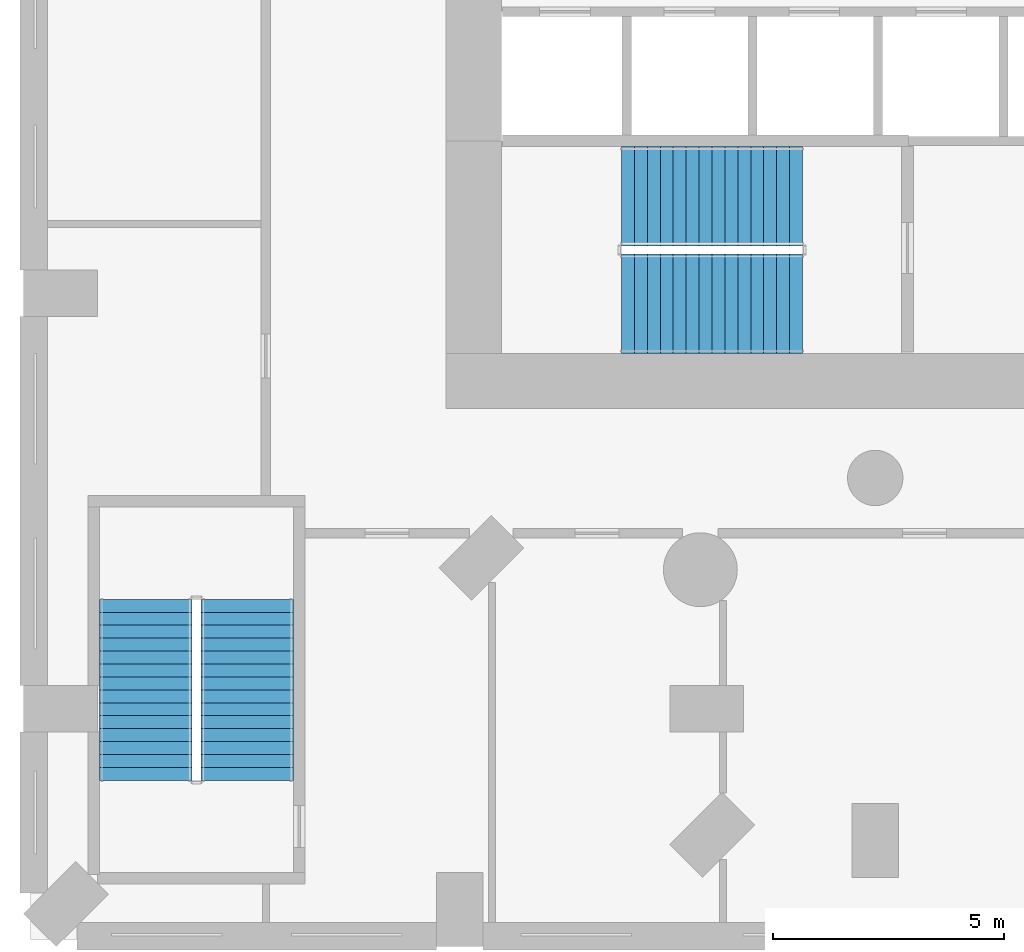
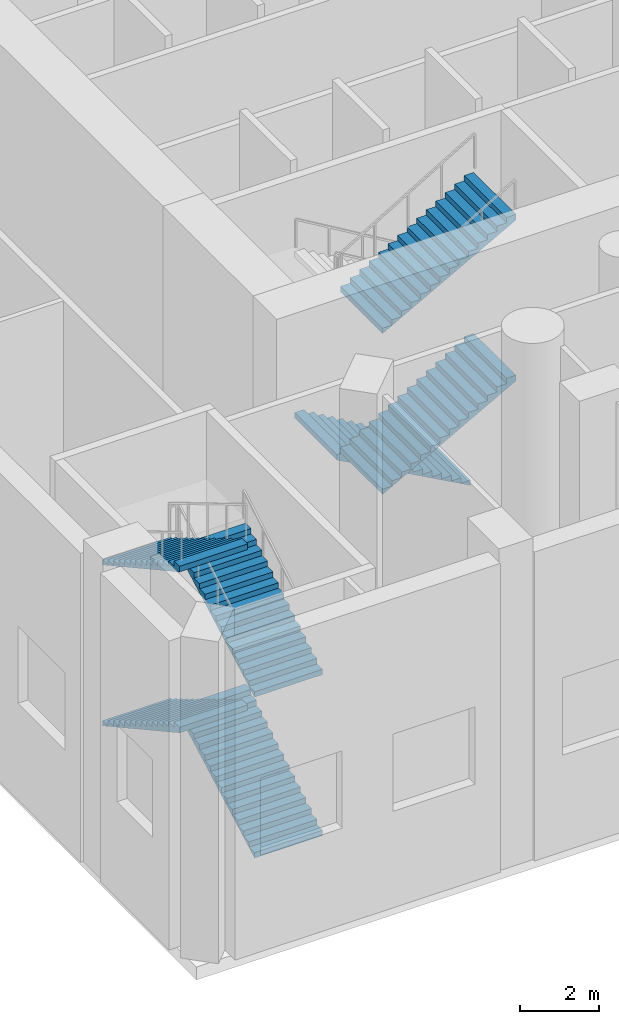
# One storey, part 10 of 17: 7 stair flights, 2 elements without a shape of their own.
"""IFC4 building model written with IfcOpenShell, lengths in metres."""

from ifc_helpers import new_model, si_unit, direction, frame, origin, place, context, subcontext, project, spatial, triangles, material, type_object, element, aggregate, save


model = new_model("IFC4")

# Units and contexts
model_context = context("Model", 3, precision=1e-05, world=origin(), true_north=direction((0.0, 1.0)))
body_context = subcontext(model_context, "Body", "Model", "MODEL_VIEW")
ifc_project = project(units=[si_unit("LENGTHUNIT", "METRE"), si_unit("AREAUNIT", "SQUARE_METRE"), si_unit("VOLUMEUNIT", "CUBIC_METRE"), si_unit("PLANEANGLEUNIT", "RADIAN"), si_unit("MASSUNIT", "GRAM", prefix="KILO")], contexts=[model_context])

# Site, building, storey
site_placement = place(None, origin())
site = spatial("IfcSite", under=ifc_project, at=site_placement, CompositionType="ELEMENT")
building_placement = place(site_placement, origin())
building = spatial("IfcBuilding", under=site, at=building_placement, Name="Cypress Arch Tower", CompositionType="ELEMENT")
storey_placement = place(building_placement, frame((0.0, 0.0, 19.0)))
storey = spatial("IfcBuildingStorey", under=building, at=storey_placement, Name="L02", CompositionType="ELEMENT", Elevation=19.0)

# Stair, stair flights
ifc_material_1 = material(Name="Concrete C40/50", Category="concrete")
stair_type_1 = type_object("IfcStairType", Name="Exit stair ES1667-200", PredefinedType="HALF_TURN_STAIR", material=ifc_material_1)
stair_1_placement = place(storey_placement, origin())
stair_1 = element("IfcStair", 1, at=stair_1_placement, inside=storey, type_object=stair_type_1, Name="L02 Exit stair P1", PredefinedType="HALF_TURN_STAIR")
ifc_material_2 = material(Name="Concrete C40/50", Category="concrete")
stair_flight_type_1 = type_object("IfcStairFlightType", Name="Exit stair flight ES1667-200", PredefinedType="STRAIGHT", material=ifc_material_2)
stair_flight_1_placement = place(storey_placement, frame((-34.300048828125, -24.050048828125, 0.0), z_axis=(0.0, 0.0, 1.0), x_axis=(0.0, 1.0, 0.0)))
stair_flight_1 = element("IfcStairFlight", 2, at=stair_flight_1_placement, type_object=stair_flight_type_1, Name="P1 flight 1", NumberOfRisers=15, NumberOfTreads=14, PredefinedType="STRAIGHT", RiserHeight=0.166666667, TreadLength=0.28, context=body_context, shape_type="Tessellation", body=[
    triangles([(0.0, -1.0, 0.0), (0.0, -1.0, 0.166748046875), (0.280029296875, -1.0, 0.166748046875), (0.280029296875, -1.0, 0.333251953125), (0.56005859375, -1.0, 0.333251953125), (0.56005859375, -1.0, 0.5), (0.840087890625, -1.0, 0.5), (0.840087890625, -1.0, 0.666748046875), (1.1201171875, -1.0, 0.666748046875), (1.1201171875, -1.0, 0.833251953125), (1.39990234375, -1.0, 0.833251953125), (1.39990234375, -1.0, 1.0), (1.679931640625, -1.0, 1.0), (1.679931640625, -1.0, 1.166748046875), (1.9599609375, -1.0, 1.166748046875), (1.9599609375, -1.0, 1.333251953125), (2.239990234375, -1.0, 1.333251953125), (2.239990234375, -1.0, 1.5), (2.52001953125, -1.0, 1.5), (2.52001953125, -1.0, 1.666748046875), (2.800048828125, -1.0, 1.666748046875), (2.800048828125, -1.0, 1.833251953125), (3.080078125, -1.0, 1.833251953125), (3.080078125, -1.0, 2.0), (3.360107421875, -1.0, 2.0), (3.360107421875, -1.0, 2.166748046875), (3.639892578125, -1.0, 2.166748046875), (3.639892578125, -1.0, 2.333251953125), (3.919921875, -1.0, 2.333251953125), (3.919921875, -1.0, 2.158935546875), (3.919921875, 1.0, 2.158935546875), (3.919921875, 1.0, 2.333251953125), (3.639892578125, 1.0, 2.333251953125), (3.639892578125, 1.0, 2.166748046875), (3.360107421875, 1.0, 2.166748046875), (3.360107421875, 1.0, 2.0), (3.080078125, 1.0, 2.0), (3.080078125, 1.0, 1.833251953125), (2.800048828125, 1.0, 1.833251953125), (2.800048828125, 1.0, 1.666748046875), (2.52001953125, 1.0, 1.666748046875), (2.52001953125, 1.0, 1.5), (2.239990234375, 1.0, 1.5), (2.239990234375, 1.0, 1.333251953125), (1.9599609375, 1.0, 1.333251953125), (1.9599609375, 1.0, 1.166748046875), (1.679931640625, 1.0, 1.166748046875), (1.679931640625, 1.0, 1.0), (1.39990234375, 1.0, 1.0), (1.39990234375, 1.0, 0.833251953125), (1.1201171875, 1.0, 0.833251953125), (1.1201171875, 1.0, 0.666748046875), (0.840087890625, 1.0, 0.666748046875), (0.840087890625, 1.0, 0.5), (0.56005859375, 1.0, 0.5), (0.56005859375, 1.0, 0.333251953125), (0.280029296875, 1.0, 0.333251953125), (0.280029296875, 1.0, 0.166748046875), (0.0, 1.0, 0.166748046875), (0.0, 1.0, 0.0)], [[30, 29, 28], [27, 26, 25], [25, 24, 23], [21, 20, 19], [19, 18, 17], [15, 14, 13], [13, 12, 11], [9, 8, 7], [7, 6, 5], [3, 2, 1], [11, 10, 9], [23, 22, 21], [17, 16, 15], [5, 4, 3], [30, 28, 27], [30, 27, 25], [30, 25, 23], [30, 23, 21], [30, 21, 19], [30, 19, 17], [30, 17, 15], [30, 15, 13], [30, 13, 11], [30, 11, 9], [30, 9, 7], [30, 7, 5], [1, 30, 5], [5, 3, 1], [31, 33, 32], [34, 36, 35], [36, 38, 37], [40, 42, 41], [42, 44, 43], [46, 48, 47], [48, 50, 49], [52, 54, 53], [54, 56, 55], [58, 60, 59], [50, 52, 51], [38, 40, 39], [44, 46, 45], [56, 58, 57], [31, 34, 33], [31, 36, 34], [31, 38, 36], [31, 40, 38], [31, 42, 40], [31, 44, 42], [31, 46, 44], [31, 48, 46], [31, 50, 48], [31, 52, 50], [31, 54, 52], [31, 56, 54], [60, 56, 31], [56, 60, 58], [31, 32, 29], [31, 29, 30], [32, 33, 28], [32, 28, 29], [33, 34, 27], [33, 27, 28], [34, 35, 26], [34, 26, 27], [35, 36, 25], [35, 25, 26], [36, 37, 24], [36, 24, 25], [37, 38, 23], [37, 23, 24], [38, 39, 22], [38, 22, 23], [39, 40, 21], [39, 21, 22], [40, 41, 20], [40, 20, 21], [41, 42, 19], [41, 19, 20], [42, 43, 18], [42, 18, 19], [43, 44, 17], [43, 17, 18], [44, 45, 16], [44, 16, 17], [45, 46, 15], [45, 15, 16], [46, 47, 14], [46, 14, 15], [47, 48, 13], [47, 13, 14], [48, 49, 12], [48, 12, 13], [49, 50, 11], [49, 11, 12], [50, 51, 10], [50, 10, 11], [51, 52, 9], [51, 9, 10], [52, 53, 8], [52, 8, 9], [53, 54, 7], [53, 7, 8], [54, 55, 6], [54, 6, 7], [55, 56, 5], [55, 5, 6], [56, 57, 4], [56, 4, 5], [57, 58, 3], [57, 3, 4], [58, 59, 2], [58, 2, 3], [59, 60, 1], [59, 1, 2], [60, 31, 30], [60, 30, 1]], closed=True),
])
stair_flight_2_placement = place(storey_placement, frame((-36.5, -20.1298828125, 2.5), z_axis=(0.0, 0.0, 1.0), x_axis=(0.0, -1.0, 0.0)))
stair_flight_2 = element("IfcStairFlight", 3, at=stair_flight_2_placement, type_object=stair_flight_type_1, Name="P1 flight 2", NumberOfRisers=15, NumberOfTreads=14, PredefinedType="STRAIGHT", RiserHeight=0.166666667, TreadLength=0.28, context=body_context, shape_type="Tessellation", body=[
    triangles([(0.0, -1.0, 0.0), (0.0, -1.0, 0.166748046875), (0.280029296875, -1.0, 0.166748046875), (0.280029296875, -1.0, 0.333251953125), (0.56005859375, -1.0, 0.333251953125), (0.56005859375, -1.0, 0.5), (0.840087890625, -1.0, 0.5), (0.840087890625, -1.0, 0.666748046875), (1.1201171875, -1.0, 0.666748046875), (1.1201171875, -1.0, 0.833251953125), (1.39990234375, -1.0, 0.833251953125), (1.39990234375, -1.0, 1.0), (1.679931640625, -1.0, 1.0), (1.679931640625, -1.0, 1.166748046875), (1.9599609375, -1.0, 1.166748046875), (1.9599609375, -1.0, 1.333251953125), (2.239990234375, -1.0, 1.333251953125), (2.239990234375, -1.0, 1.5), (2.52001953125, -1.0, 1.5), (2.52001953125, -1.0, 1.666748046875), (2.800048828125, -1.0, 1.666748046875), (2.800048828125, -1.0, 1.833251953125), (3.080078125, -1.0, 1.833251953125), (3.080078125, -1.0, 2.0), (3.360107421875, -1.0, 2.0), (3.360107421875, -1.0, 2.166748046875), (3.639892578125, -1.0, 2.166748046875), (3.639892578125, -1.0, 2.333251953125), (3.919921875, -1.0, 2.333251953125), (3.919921875, -1.0, 2.158935546875), (3.919921875, 1.0, 2.158935546875), (3.919921875, 1.0, 2.333251953125), (3.639892578125, 1.0, 2.333251953125), (3.639892578125, 1.0, 2.166748046875), (3.360107421875, 1.0, 2.166748046875), (3.360107421875, 1.0, 2.0), (3.080078125, 1.0, 2.0), (3.080078125, 1.0, 1.833251953125), (2.800048828125, 1.0, 1.833251953125), (2.800048828125, 1.0, 1.666748046875), (2.52001953125, 1.0, 1.666748046875), (2.52001953125, 1.0, 1.5), (2.239990234375, 1.0, 1.5), (2.239990234375, 1.0, 1.333251953125), (1.9599609375, 1.0, 1.333251953125), (1.9599609375, 1.0, 1.166748046875), (1.679931640625, 1.0, 1.166748046875), (1.679931640625, 1.0, 1.0), (1.39990234375, 1.0, 1.0), (1.39990234375, 1.0, 0.833251953125), (1.1201171875, 1.0, 0.833251953125), (1.1201171875, 1.0, 0.666748046875), (0.840087890625, 1.0, 0.666748046875), (0.840087890625, 1.0, 0.5), (0.56005859375, 1.0, 0.5), (0.56005859375, 1.0, 0.333251953125), (0.280029296875, 1.0, 0.333251953125), (0.280029296875, 1.0, 0.166748046875), (0.0, 1.0, 0.166748046875), (0.0, 1.0, 0.0)], [[30, 29, 28], [27, 26, 25], [25, 24, 23], [21, 20, 19], [19, 18, 17], [15, 14, 13], [13, 12, 11], [9, 8, 7], [7, 6, 5], [3, 2, 1], [11, 10, 9], [23, 22, 21], [17, 16, 15], [5, 4, 3], [30, 28, 27], [30, 27, 25], [30, 25, 23], [30, 23, 21], [30, 21, 19], [30, 19, 17], [30, 17, 15], [30, 15, 13], [30, 13, 11], [30, 11, 9], [30, 9, 7], [30, 7, 5], [1, 30, 5], [5, 3, 1], [31, 33, 32], [34, 36, 35], [36, 38, 37], [40, 42, 41], [42, 44, 43], [46, 48, 47], [48, 50, 49], [52, 54, 53], [54, 56, 55], [58, 60, 59], [50, 52, 51], [38, 40, 39], [44, 46, 45], [56, 58, 57], [31, 34, 33], [31, 36, 34], [31, 38, 36], [31, 40, 38], [31, 42, 40], [31, 44, 42], [31, 46, 44], [31, 48, 46], [31, 50, 48], [31, 52, 50], [31, 54, 52], [31, 56, 54], [60, 56, 31], [56, 60, 58], [31, 32, 29], [31, 29, 30], [32, 33, 28], [32, 28, 29], [33, 34, 27], [33, 27, 28], [34, 35, 26], [34, 26, 27], [35, 36, 25], [35, 25, 26], [36, 37, 24], [36, 24, 25], [37, 38, 23], [37, 23, 24], [38, 39, 22], [38, 22, 23], [39, 40, 21], [39, 21, 22], [40, 41, 20], [40, 20, 21], [41, 42, 19], [41, 19, 20], [42, 43, 18], [42, 18, 19], [43, 44, 17], [43, 17, 18], [44, 45, 16], [44, 16, 17], [45, 46, 15], [45, 15, 16], [46, 47, 14], [46, 14, 15], [47, 48, 13], [47, 13, 14], [48, 49, 12], [48, 12, 13], [49, 50, 11], [49, 11, 12], [50, 51, 10], [50, 10, 11], [51, 52, 9], [51, 9, 10], [52, 53, 8], [52, 8, 9], [53, 54, 7], [53, 7, 8], [54, 55, 6], [54, 6, 7], [55, 56, 5], [55, 5, 6], [56, 57, 4], [56, 4, 5], [57, 58, 3], [57, 3, 4], [58, 59, 2], [58, 2, 3], [59, 60, 1], [59, 1, 2], [60, 31, 30], [60, 30, 1]], closed=True),
])
stair_flight_3_placement = place(storey_placement, frame((-34.300048828125, -24.050048828125, 5.0), z_axis=(0.0, 0.0, 1.0), x_axis=(0.0, 1.0, 0.0)))
stair_flight_3 = element("IfcStairFlight", 4, at=stair_flight_3_placement, type_object=stair_flight_type_1, Name="P1 flight 3", NumberOfRisers=15, NumberOfTreads=14, PredefinedType="STRAIGHT", RiserHeight=0.166666667, TreadLength=0.28, context=body_context, shape_type="Tessellation", body=[
    triangles([(0.0, -1.0, 0.0), (0.0, -1.0, 0.166748046875), (0.280029296875, -1.0, 0.166748046875), (0.280029296875, -1.0, 0.333251953125), (0.56005859375, -1.0, 0.333251953125), (0.56005859375, -1.0, 0.5), (0.840087890625, -1.0, 0.5), (0.840087890625, -1.0, 0.666748046875), (1.1201171875, -1.0, 0.666748046875), (1.1201171875, -1.0, 0.833251953125), (1.39990234375, -1.0, 0.833251953125), (1.39990234375, -1.0, 1.0), (1.679931640625, -1.0, 1.0), (1.679931640625, -1.0, 1.166748046875), (1.9599609375, -1.0, 1.166748046875), (1.9599609375, -1.0, 1.333251953125), (2.239990234375, -1.0, 1.333251953125), (2.239990234375, -1.0, 1.5), (2.52001953125, -1.0, 1.5), (2.52001953125, -1.0, 1.666748046875), (2.800048828125, -1.0, 1.666748046875), (2.800048828125, -1.0, 1.833251953125), (3.080078125, -1.0, 1.833251953125), (3.080078125, -1.0, 2.0), (3.360107421875, -1.0, 2.0), (3.360107421875, -1.0, 2.166748046875), (3.639892578125, -1.0, 2.166748046875), (3.639892578125, -1.0, 2.333251953125), (3.919921875, -1.0, 2.333251953125), (3.919921875, -1.0, 2.158935546875), (3.919921875, 1.0, 2.158935546875), (3.919921875, 1.0, 2.333251953125), (3.639892578125, 1.0, 2.333251953125), (3.639892578125, 1.0, 2.166748046875), (3.360107421875, 1.0, 2.166748046875), (3.360107421875, 1.0, 2.0), (3.080078125, 1.0, 2.0), (3.080078125, 1.0, 1.833251953125), (2.800048828125, 1.0, 1.833251953125), (2.800048828125, 1.0, 1.666748046875), (2.52001953125, 1.0, 1.666748046875), (2.52001953125, 1.0, 1.5), (2.239990234375, 1.0, 1.5), (2.239990234375, 1.0, 1.333251953125), (1.9599609375, 1.0, 1.333251953125), (1.9599609375, 1.0, 1.166748046875), (1.679931640625, 1.0, 1.166748046875), (1.679931640625, 1.0, 1.0), (1.39990234375, 1.0, 1.0), (1.39990234375, 1.0, 0.833251953125), (1.1201171875, 1.0, 0.833251953125), (1.1201171875, 1.0, 0.666748046875), (0.840087890625, 1.0, 0.666748046875), (0.840087890625, 1.0, 0.5), (0.56005859375, 1.0, 0.5), (0.56005859375, 1.0, 0.333251953125), (0.280029296875, 1.0, 0.333251953125), (0.280029296875, 1.0, 0.166748046875), (0.0, 1.0, 0.166748046875), (0.0, 1.0, 0.0)], [[30, 29, 28], [27, 26, 25], [25, 24, 23], [21, 20, 19], [19, 18, 17], [15, 14, 13], [13, 12, 11], [9, 8, 7], [7, 6, 5], [3, 2, 1], [11, 10, 9], [23, 22, 21], [17, 16, 15], [5, 4, 3], [30, 28, 27], [30, 27, 25], [30, 25, 23], [30, 23, 21], [30, 21, 19], [30, 19, 17], [30, 17, 15], [30, 15, 13], [30, 13, 11], [30, 11, 9], [30, 9, 7], [30, 7, 5], [1, 30, 5], [5, 3, 1], [31, 33, 32], [34, 36, 35], [36, 38, 37], [40, 42, 41], [42, 44, 43], [46, 48, 47], [48, 50, 49], [52, 54, 53], [54, 56, 55], [58, 60, 59], [50, 52, 51], [38, 40, 39], [44, 46, 45], [56, 58, 57], [31, 34, 33], [31, 36, 34], [31, 38, 36], [31, 40, 38], [31, 42, 40], [31, 44, 42], [31, 46, 44], [31, 48, 46], [31, 50, 48], [31, 52, 50], [31, 54, 52], [31, 56, 54], [60, 56, 31], [56, 60, 58], [31, 32, 29], [31, 29, 30], [32, 33, 28], [32, 28, 29], [33, 34, 27], [33, 27, 28], [34, 35, 26], [34, 26, 27], [35, 36, 25], [35, 25, 26], [36, 37, 24], [36, 24, 25], [37, 38, 23], [37, 23, 24], [38, 39, 22], [38, 22, 23], [39, 40, 21], [39, 21, 22], [40, 41, 20], [40, 20, 21], [41, 42, 19], [41, 19, 20], [42, 43, 18], [42, 18, 19], [43, 44, 17], [43, 17, 18], [44, 45, 16], [44, 16, 17], [45, 46, 15], [45, 15, 16], [46, 47, 14], [46, 14, 15], [47, 48, 13], [47, 13, 14], [48, 49, 12], [48, 12, 13], [49, 50, 11], [49, 11, 12], [50, 51, 10], [50, 10, 11], [51, 52, 9], [51, 9, 10], [52, 53, 8], [52, 8, 9], [53, 54, 7], [53, 7, 8], [54, 55, 6], [54, 6, 7], [55, 56, 5], [55, 5, 6], [56, 57, 4], [56, 4, 5], [57, 58, 3], [57, 3, 4], [58, 59, 2], [58, 2, 3], [59, 60, 1], [59, 1, 2], [60, 31, 30], [60, 30, 1]], closed=True),
])
stair_flight_4_placement = place(storey_placement, frame((-36.5, -20.1298828125, 7.5), z_axis=(0.0, 0.0, 1.0), x_axis=(0.0, -1.0, 0.0)))
stair_flight_4 = element("IfcStairFlight", 5, at=stair_flight_4_placement, type_object=stair_flight_type_1, Name="P1 flight 4", NumberOfRisers=15, NumberOfTreads=14, PredefinedType="STRAIGHT", RiserHeight=0.166666667, TreadLength=0.28, context=body_context, shape_type="Tessellation", body=[
    triangles([(0.0, -1.0, 0.0), (0.0, -1.0, 0.166748046875), (0.280029296875, -1.0, 0.166748046875), (0.280029296875, -1.0, 0.333251953125), (0.56005859375, -1.0, 0.333251953125), (0.56005859375, -1.0, 0.5), (0.840087890625, -1.0, 0.5), (0.840087890625, -1.0, 0.666748046875), (1.1201171875, -1.0, 0.666748046875), (1.1201171875, -1.0, 0.833251953125), (1.39990234375, -1.0, 0.833251953125), (1.39990234375, -1.0, 1.0), (1.679931640625, -1.0, 1.0), (1.679931640625, -1.0, 1.166748046875), (1.9599609375, -1.0, 1.166748046875), (1.9599609375, -1.0, 1.333251953125), (2.239990234375, -1.0, 1.333251953125), (2.239990234375, -1.0, 1.5), (2.52001953125, -1.0, 1.5), (2.52001953125, -1.0, 1.666748046875), (2.800048828125, -1.0, 1.666748046875), (2.800048828125, -1.0, 1.833251953125), (3.080078125, -1.0, 1.833251953125), (3.080078125, -1.0, 2.0), (3.360107421875, -1.0, 2.0), (3.360107421875, -1.0, 2.166748046875), (3.639892578125, -1.0, 2.166748046875), (3.639892578125, -1.0, 2.333251953125), (3.919921875, -1.0, 2.333251953125), (3.919921875, -1.0, 2.158935546875), (3.919921875, 1.0, 2.158935546875), (3.919921875, 1.0, 2.333251953125), (3.639892578125, 1.0, 2.333251953125), (3.639892578125, 1.0, 2.166748046875), (3.360107421875, 1.0, 2.166748046875), (3.360107421875, 1.0, 2.0), (3.080078125, 1.0, 2.0), (3.080078125, 1.0, 1.833251953125), (2.800048828125, 1.0, 1.833251953125), (2.800048828125, 1.0, 1.666748046875), (2.52001953125, 1.0, 1.666748046875), (2.52001953125, 1.0, 1.5), (2.239990234375, 1.0, 1.5), (2.239990234375, 1.0, 1.333251953125), (1.9599609375, 1.0, 1.333251953125), (1.9599609375, 1.0, 1.166748046875), (1.679931640625, 1.0, 1.166748046875), (1.679931640625, 1.0, 1.0), (1.39990234375, 1.0, 1.0), (1.39990234375, 1.0, 0.833251953125), (1.1201171875, 1.0, 0.833251953125), (1.1201171875, 1.0, 0.666748046875), (0.840087890625, 1.0, 0.666748046875), (0.840087890625, 1.0, 0.5), (0.56005859375, 1.0, 0.5), (0.56005859375, 1.0, 0.333251953125), (0.280029296875, 1.0, 0.333251953125), (0.280029296875, 1.0, 0.166748046875), (0.0, 1.0, 0.166748046875), (0.0, 1.0, 0.0)], [[30, 29, 28], [27, 26, 25], [25, 24, 23], [21, 20, 19], [19, 18, 17], [15, 14, 13], [13, 12, 11], [9, 8, 7], [7, 6, 5], [3, 2, 1], [11, 10, 9], [23, 22, 21], [17, 16, 15], [5, 4, 3], [30, 28, 27], [30, 27, 25], [30, 25, 23], [30, 23, 21], [30, 21, 19], [30, 19, 17], [30, 17, 15], [30, 15, 13], [30, 13, 11], [30, 11, 9], [30, 9, 7], [30, 7, 5], [1, 30, 5], [5, 3, 1], [31, 33, 32], [34, 36, 35], [36, 38, 37], [40, 42, 41], [42, 44, 43], [46, 48, 47], [48, 50, 49], [52, 54, 53], [54, 56, 55], [58, 60, 59], [50, 52, 51], [38, 40, 39], [44, 46, 45], [56, 58, 57], [31, 34, 33], [31, 36, 34], [31, 38, 36], [31, 40, 38], [31, 42, 40], [31, 44, 42], [31, 46, 44], [31, 48, 46], [31, 50, 48], [31, 52, 50], [31, 54, 52], [31, 56, 54], [60, 56, 31], [56, 60, 58], [31, 32, 29], [31, 29, 30], [32, 33, 28], [32, 28, 29], [33, 34, 27], [33, 27, 28], [34, 35, 26], [34, 26, 27], [35, 36, 25], [35, 25, 26], [36, 37, 24], [36, 24, 25], [37, 38, 23], [37, 23, 24], [38, 39, 22], [38, 22, 23], [39, 40, 21], [39, 21, 22], [40, 41, 20], [40, 20, 21], [41, 42, 19], [41, 19, 20], [42, 43, 18], [42, 18, 19], [43, 44, 17], [43, 17, 18], [44, 45, 16], [44, 16, 17], [45, 46, 15], [45, 15, 16], [46, 47, 14], [46, 14, 15], [47, 48, 13], [47, 13, 14], [48, 49, 12], [48, 12, 13], [49, 50, 11], [49, 11, 12], [50, 51, 10], [50, 10, 11], [51, 52, 9], [51, 9, 10], [52, 53, 8], [52, 8, 9], [53, 54, 7], [53, 7, 8], [54, 55, 6], [54, 6, 7], [55, 56, 5], [55, 5, 6], [56, 57, 4], [56, 4, 5], [57, 58, 3], [57, 3, 4], [58, 59, 2], [58, 2, 3], [59, 60, 1], [59, 1, 2], [60, 31, 30], [60, 30, 1]], closed=True),
])
aggregate(stair_1, [stair_flight_1, stair_flight_2, stair_flight_3, stair_flight_4])

ifc_material_3 = material(Name="Concrete C40/50", Category="concrete")
stair_type_2 = type_object("IfcStairType", Name="Exit stair ES1667-215", PredefinedType="HALF_TURN_STAIR", material=ifc_material_3)
stair_2_placement = place(storey_placement, origin())
stair_2 = element("IfcStair", 6, at=stair_2_placement, inside=storey, type_object=stair_type_2, Name="L02 Exit stair A", PredefinedType="HALF_TURN_STAIR")
ifc_material_4 = material(Name="Concrete C40/50", Category="concrete")
stair_flight_type_2 = type_object("IfcStairFlightType", Name="Exit stair flight ES1667-215", PredefinedType="STRAIGHT", material=ifc_material_4)
stair_flight_5_placement = place(storey_placement, frame((-22.27490234375, -11.39990234375, 0.0), z_axis=(0.0, 0.0, 1.0), x_axis=(-1.0, 0.0, 0.0)))
stair_flight_5 = element("IfcStairFlight", 7, at=stair_flight_5_placement, type_object=stair_flight_type_2, Name="A flight 1", NumberOfRisers=15, NumberOfTreads=14, PredefinedType="STRAIGHT", RiserHeight=0.166666667, TreadLength=0.28, context=body_context, shape_type="Tessellation", body=[
    triangles([(0.0, -1.074951171875, 0.0), (0.00048828125, -1.074951171875, 0.0556640625), (0.00048828125, -1.074951171875, 0.111083984375), (0.0, -1.074951171875, 0.166748046875), (0.280029296875, -1.074951171875, 0.166748046875), (0.280029296875, -1.074951171875, 0.333251953125), (0.56005859375, -1.074951171875, 0.333251953125), (0.56005859375, -1.074951171875, 0.5), (0.840087890625, -1.074951171875, 0.5), (0.840087890625, -1.074951171875, 0.666748046875), (1.1201171875, -1.074951171875, 0.666748046875), (1.1201171875, -1.074951171875, 0.833251953125), (1.39990234375, -1.074951171875, 0.833251953125), (1.39990234375, -1.074951171875, 1.0), (1.679931640625, -1.074951171875, 1.0), (1.679931640625, -1.074951171875, 1.166748046875), (1.9599609375, -1.074951171875, 1.166748046875), (1.9599609375, -1.074951171875, 1.333251953125), (2.239990234375, -1.074951171875, 1.333251953125), (2.239990234375, -1.074951171875, 1.5), (2.52001953125, -1.074951171875, 1.5), (2.52001953125, -1.074951171875, 1.666748046875), (2.800048828125, -1.074951171875, 1.666748046875), (2.800048828125, -1.074951171875, 1.833251953125), (3.080078125, -1.074951171875, 1.833251953125), (3.080078125, -1.074951171875, 2.0), (3.360107421875, -1.074951171875, 2.0), (3.360107421875, -1.074951171875, 2.166748046875), (3.639892578125, -1.074951171875, 2.166748046875), (3.639892578125, -1.074951171875, 2.333251953125), (3.919921875, -1.074951171875, 2.333251953125), (3.91943359375, -1.074951171875, 2.275146484375), (3.91943359375, -1.074951171875, 2.217041015625), (3.919921875, -1.074951171875, 2.158935546875), (3.919921875, 1.074951171875, 2.158935546875), (3.91943359375, 1.074951171875, 2.217041015625), (3.91943359375, 1.074951171875, 2.275146484375), (3.919921875, 1.074951171875, 2.333251953125), (3.639892578125, 1.074951171875, 2.333251953125), (3.639892578125, 1.074951171875, 2.166748046875), (3.360107421875, 1.074951171875, 2.166748046875), (3.360107421875, 1.074951171875, 2.0), (3.080078125, 1.074951171875, 2.0), (3.080078125, 1.074951171875, 1.833251953125), (2.800048828125, 1.074951171875, 1.833251953125), (2.800048828125, 1.074951171875, 1.666748046875), (2.52001953125, 1.074951171875, 1.666748046875), (2.52001953125, 1.074951171875, 1.5), (2.239990234375, 1.074951171875, 1.5), (2.239990234375, 1.074951171875, 1.333251953125), (1.9599609375, 1.074951171875, 1.333251953125), (1.9599609375, 1.074951171875, 1.166748046875), (1.679931640625, 1.074951171875, 1.166748046875), (1.679931640625, 1.074951171875, 1.0), (1.39990234375, 1.074951171875, 1.0), (1.39990234375, 1.074951171875, 0.833251953125), (1.1201171875, 1.074951171875, 0.833251953125), (1.1201171875, 1.074951171875, 0.666748046875), (0.840087890625, 1.074951171875, 0.666748046875), (0.840087890625, 1.074951171875, 0.5), (0.56005859375, 1.074951171875, 0.5), (0.56005859375, 1.074951171875, 0.333251953125), (0.280029296875, 1.074951171875, 0.333251953125), (0.280029296875, 1.074951171875, 0.166748046875), (0.0, 1.074951171875, 0.166748046875), (0.00048828125, 1.074951171875, 0.111083984375), (0.00048828125, 1.074951171875, 0.0556640625), (0.0, 1.074951171875, 0.0)], [[34, 33, 30], [33, 32, 30], [32, 31, 30], [29, 28, 27], [27, 26, 25], [23, 22, 21], [21, 20, 19], [17, 16, 15], [15, 14, 13], [11, 10, 9], [9, 8, 7], [4, 3, 5], [3, 2, 5], [2, 1, 5], [13, 12, 11], [25, 24, 23], [19, 18, 17], [7, 6, 5], [34, 30, 29], [34, 29, 27], [34, 27, 25], [34, 25, 23], [34, 23, 21], [34, 21, 19], [34, 19, 17], [34, 17, 15], [34, 15, 13], [34, 13, 11], [34, 11, 9], [34, 9, 7], [1, 34, 7], [7, 5, 1], [35, 39, 36], [36, 39, 37], [37, 39, 38], [40, 42, 41], [42, 44, 43], [46, 48, 47], [48, 50, 49], [52, 54, 53], [54, 56, 55], [58, 60, 59], [60, 62, 61], [65, 64, 66], [66, 64, 67], [67, 64, 68], [56, 58, 57], [44, 46, 45], [50, 52, 51], [62, 64, 63], [35, 40, 39], [35, 42, 40], [35, 44, 42], [35, 46, 44], [35, 48, 46], [35, 50, 48], [35, 52, 50], [35, 54, 52], [35, 56, 54], [35, 58, 56], [35, 60, 58], [35, 62, 60], [68, 62, 35], [62, 68, 64], [35, 36, 33], [35, 33, 34], [36, 37, 32], [36, 32, 33], [37, 38, 31], [37, 31, 32], [38, 39, 30], [38, 30, 31], [39, 40, 29], [39, 29, 30], [40, 41, 28], [40, 28, 29], [41, 42, 27], [41, 27, 28], [42, 43, 26], [42, 26, 27], [43, 44, 25], [43, 25, 26], [44, 45, 24], [44, 24, 25], [45, 46, 23], [45, 23, 24], [46, 47, 22], [46, 22, 23], [47, 48, 21], [47, 21, 22], [48, 49, 20], [48, 20, 21], [49, 50, 19], [49, 19, 20], [50, 51, 18], [50, 18, 19], [51, 52, 17], [51, 17, 18], [52, 53, 16], [52, 16, 17], [53, 54, 15], [53, 15, 16], [54, 55, 14], [54, 14, 15], [55, 56, 13], [55, 13, 14], [56, 57, 12], [56, 12, 13], [57, 58, 11], [57, 11, 12], [58, 59, 10], [58, 10, 11], [59, 60, 9], [59, 9, 10], [60, 61, 8], [60, 8, 9], [61, 62, 7], [61, 7, 8], [62, 63, 6], [62, 6, 7], [63, 64, 5], [63, 5, 6], [64, 65, 4], [64, 4, 5], [65, 66, 3], [65, 3, 4], [66, 67, 2], [66, 2, 3], [67, 68, 1], [67, 1, 2], [68, 35, 34], [68, 34, 1]], closed=True),
])
stair_flight_6_placement = place(storey_placement, frame((-26.195068359375, -13.72509765625, 2.5), z_axis=(0.0, 0.0, 1.0), x_axis=(1.0, 0.0, 0.0)))
stair_flight_6 = element("IfcStairFlight", 8, at=stair_flight_6_placement, type_object=stair_flight_type_2, Name="A flight 2", NumberOfRisers=15, NumberOfTreads=14, PredefinedType="STRAIGHT", RiserHeight=0.166666667, TreadLength=0.28, context=body_context, shape_type="Tessellation", body=[
    triangles([(0.0, -1.074951171875, 0.0), (0.00048828125, -1.074951171875, 0.0556640625), (0.00048828125, -1.074951171875, 0.111083984375), (0.0, -1.074951171875, 0.166748046875), (0.280029296875, -1.074951171875, 0.166748046875), (0.280029296875, -1.074951171875, 0.333251953125), (0.56005859375, -1.074951171875, 0.333251953125), (0.56005859375, -1.074951171875, 0.5), (0.840087890625, -1.074951171875, 0.5), (0.840087890625, -1.074951171875, 0.666748046875), (1.1201171875, -1.074951171875, 0.666748046875), (1.1201171875, -1.074951171875, 0.833251953125), (1.39990234375, -1.074951171875, 0.833251953125), (1.39990234375, -1.074951171875, 1.0), (1.679931640625, -1.074951171875, 1.0), (1.679931640625, -1.074951171875, 1.166748046875), (1.9599609375, -1.074951171875, 1.166748046875), (1.9599609375, -1.074951171875, 1.333251953125), (2.239990234375, -1.074951171875, 1.333251953125), (2.239990234375, -1.074951171875, 1.5), (2.52001953125, -1.074951171875, 1.5), (2.52001953125, -1.074951171875, 1.666748046875), (2.800048828125, -1.074951171875, 1.666748046875), (2.800048828125, -1.074951171875, 1.833251953125), (3.080078125, -1.074951171875, 1.833251953125), (3.080078125, -1.074951171875, 2.0), (3.360107421875, -1.074951171875, 2.0), (3.360107421875, -1.074951171875, 2.166748046875), (3.639892578125, -1.074951171875, 2.166748046875), (3.639892578125, -1.074951171875, 2.333251953125), (3.919921875, -1.074951171875, 2.333251953125), (3.91943359375, -1.074951171875, 2.275146484375), (3.91943359375, -1.074951171875, 2.217041015625), (3.919921875, -1.074951171875, 2.158935546875), (3.919921875, 1.074951171875, 2.158935546875), (3.91943359375, 1.074951171875, 2.217041015625), (3.91943359375, 1.074951171875, 2.275146484375), (3.919921875, 1.074951171875, 2.333251953125), (3.639892578125, 1.074951171875, 2.333251953125), (3.639892578125, 1.074951171875, 2.166748046875), (3.360107421875, 1.074951171875, 2.166748046875), (3.360107421875, 1.074951171875, 2.0), (3.080078125, 1.074951171875, 2.0), (3.080078125, 1.074951171875, 1.833251953125), (2.800048828125, 1.074951171875, 1.833251953125), (2.800048828125, 1.074951171875, 1.666748046875), (2.52001953125, 1.074951171875, 1.666748046875), (2.52001953125, 1.074951171875, 1.5), (2.239990234375, 1.074951171875, 1.5), (2.239990234375, 1.074951171875, 1.333251953125), (1.9599609375, 1.074951171875, 1.333251953125), (1.9599609375, 1.074951171875, 1.166748046875), (1.679931640625, 1.074951171875, 1.166748046875), (1.679931640625, 1.074951171875, 1.0), (1.39990234375, 1.074951171875, 1.0), (1.39990234375, 1.074951171875, 0.833251953125), (1.1201171875, 1.074951171875, 0.833251953125), (1.1201171875, 1.074951171875, 0.666748046875), (0.840087890625, 1.074951171875, 0.666748046875), (0.840087890625, 1.074951171875, 0.5), (0.56005859375, 1.074951171875, 0.5), (0.56005859375, 1.074951171875, 0.333251953125), (0.280029296875, 1.074951171875, 0.333251953125), (0.280029296875, 1.074951171875, 0.166748046875), (0.0, 1.074951171875, 0.166748046875), (0.00048828125, 1.074951171875, 0.111083984375), (0.00048828125, 1.074951171875, 0.0556640625), (0.0, 1.074951171875, 0.0)], [[34, 33, 30], [33, 32, 30], [32, 31, 30], [29, 28, 27], [27, 26, 25], [23, 22, 21], [21, 20, 19], [17, 16, 15], [15, 14, 13], [11, 10, 9], [9, 8, 7], [4, 3, 5], [3, 2, 5], [2, 1, 5], [13, 12, 11], [25, 24, 23], [19, 18, 17], [7, 6, 5], [34, 30, 29], [34, 29, 27], [34, 27, 25], [34, 25, 23], [34, 23, 21], [34, 21, 19], [34, 19, 17], [34, 17, 15], [34, 15, 13], [34, 13, 11], [34, 11, 9], [34, 9, 7], [1, 34, 7], [7, 5, 1], [35, 39, 36], [36, 39, 37], [37, 39, 38], [40, 42, 41], [42, 44, 43], [46, 48, 47], [48, 50, 49], [52, 54, 53], [54, 56, 55], [58, 60, 59], [60, 62, 61], [65, 64, 66], [66, 64, 67], [67, 64, 68], [56, 58, 57], [44, 46, 45], [50, 52, 51], [62, 64, 63], [35, 40, 39], [35, 42, 40], [35, 44, 42], [35, 46, 44], [35, 48, 46], [35, 50, 48], [35, 52, 50], [35, 54, 52], [35, 56, 54], [35, 58, 56], [35, 60, 58], [35, 62, 60], [68, 62, 35], [62, 68, 64], [35, 36, 33], [35, 33, 34], [36, 37, 32], [36, 32, 33], [37, 38, 31], [37, 31, 32], [38, 39, 30], [38, 30, 31], [39, 40, 29], [39, 29, 30], [40, 41, 28], [40, 28, 29], [41, 42, 27], [41, 27, 28], [42, 43, 26], [42, 26, 27], [43, 44, 25], [43, 25, 26], [44, 45, 24], [44, 24, 25], [45, 46, 23], [45, 23, 24], [46, 47, 22], [46, 22, 23], [47, 48, 21], [47, 21, 22], [48, 49, 20], [48, 20, 21], [49, 50, 19], [49, 19, 20], [50, 51, 18], [50, 18, 19], [51, 52, 17], [51, 17, 18], [52, 53, 16], [52, 16, 17], [53, 54, 15], [53, 15, 16], [54, 55, 14], [54, 14, 15], [55, 56, 13], [55, 13, 14], [56, 57, 12], [56, 12, 13], [57, 58, 11], [57, 11, 12], [58, 59, 10], [58, 10, 11], [59, 60, 9], [59, 9, 10], [60, 61, 8], [60, 8, 9], [61, 62, 7], [61, 7, 8], [62, 63, 6], [62, 6, 7], [63, 64, 5], [63, 5, 6], [64, 65, 4], [64, 4, 5], [65, 66, 3], [65, 3, 4], [66, 67, 2], [66, 2, 3], [67, 68, 1], [67, 1, 2], [68, 35, 34], [68, 34, 1]], closed=True),
])
stair_flight_7_placement = place(storey_placement, frame((-26.195068359375, -13.72509765625, 7.5), z_axis=(0.0, 0.0, 1.0), x_axis=(1.0, 0.0, 0.0)))
stair_flight_7 = element("IfcStairFlight", 9, at=stair_flight_7_placement, type_object=stair_flight_type_2, Name="A flight 4", NumberOfRisers=15, NumberOfTreads=14, PredefinedType="STRAIGHT", RiserHeight=0.166666667, TreadLength=0.28, context=body_context, shape_type="Tessellation", body=[
    triangles([(0.0, -1.074951171875, 0.0), (0.00048828125, -1.074951171875, 0.0556640625), (0.00048828125, -1.074951171875, 0.111083984375), (0.0, -1.074951171875, 0.166748046875), (0.280029296875, -1.074951171875, 0.166748046875), (0.280029296875, -1.074951171875, 0.333251953125), (0.56005859375, -1.074951171875, 0.333251953125), (0.56005859375, -1.074951171875, 0.5), (0.840087890625, -1.074951171875, 0.5), (0.840087890625, -1.074951171875, 0.666748046875), (1.1201171875, -1.074951171875, 0.666748046875), (1.1201171875, -1.074951171875, 0.833251953125), (1.39990234375, -1.074951171875, 0.833251953125), (1.39990234375, -1.074951171875, 1.0), (1.679931640625, -1.074951171875, 1.0), (1.679931640625, -1.074951171875, 1.166748046875), (1.9599609375, -1.074951171875, 1.166748046875), (1.9599609375, -1.074951171875, 1.333251953125), (2.239990234375, -1.074951171875, 1.333251953125), (2.239990234375, -1.074951171875, 1.5), (2.52001953125, -1.074951171875, 1.5), (2.52001953125, -1.074951171875, 1.666748046875), (2.800048828125, -1.074951171875, 1.666748046875), (2.800048828125, -1.074951171875, 1.833251953125), (3.080078125, -1.074951171875, 1.833251953125), (3.080078125, -1.074951171875, 2.0), (3.360107421875, -1.074951171875, 2.0), (3.360107421875, -1.074951171875, 2.166748046875), (3.639892578125, -1.074951171875, 2.166748046875), (3.639892578125, -1.074951171875, 2.333251953125), (3.919921875, -1.074951171875, 2.333251953125), (3.91943359375, -1.074951171875, 2.275146484375), (3.91943359375, -1.074951171875, 2.217041015625), (3.919921875, -1.074951171875, 2.158935546875), (3.919921875, 1.074951171875, 2.158935546875), (3.91943359375, 1.074951171875, 2.217041015625), (3.91943359375, 1.074951171875, 2.275146484375), (3.919921875, 1.074951171875, 2.333251953125), (3.639892578125, 1.074951171875, 2.333251953125), (3.639892578125, 1.074951171875, 2.166748046875), (3.360107421875, 1.074951171875, 2.166748046875), (3.360107421875, 1.074951171875, 2.0), (3.080078125, 1.074951171875, 2.0), (3.080078125, 1.074951171875, 1.833251953125), (2.800048828125, 1.074951171875, 1.833251953125), (2.800048828125, 1.074951171875, 1.666748046875), (2.52001953125, 1.074951171875, 1.666748046875), (2.52001953125, 1.074951171875, 1.5), (2.239990234375, 1.074951171875, 1.5), (2.239990234375, 1.074951171875, 1.333251953125), (1.9599609375, 1.074951171875, 1.333251953125), (1.9599609375, 1.074951171875, 1.166748046875), (1.679931640625, 1.074951171875, 1.166748046875), (1.679931640625, 1.074951171875, 1.0), (1.39990234375, 1.074951171875, 1.0), (1.39990234375, 1.074951171875, 0.833251953125), (1.1201171875, 1.074951171875, 0.833251953125), (1.1201171875, 1.074951171875, 0.666748046875), (0.840087890625, 1.074951171875, 0.666748046875), (0.840087890625, 1.074951171875, 0.5), (0.56005859375, 1.074951171875, 0.5), (0.56005859375, 1.074951171875, 0.333251953125), (0.280029296875, 1.074951171875, 0.333251953125), (0.280029296875, 1.074951171875, 0.166748046875), (0.0, 1.074951171875, 0.166748046875), (0.00048828125, 1.074951171875, 0.111083984375), (0.00048828125, 1.074951171875, 0.0556640625), (0.0, 1.074951171875, 0.0)], [[34, 33, 30], [33, 32, 30], [32, 31, 30], [29, 28, 27], [27, 26, 25], [23, 22, 21], [21, 20, 19], [17, 16, 15], [15, 14, 13], [11, 10, 9], [9, 8, 7], [4, 3, 5], [3, 2, 5], [2, 1, 5], [13, 12, 11], [25, 24, 23], [19, 18, 17], [7, 6, 5], [34, 30, 29], [34, 29, 27], [34, 27, 25], [34, 25, 23], [34, 23, 21], [34, 21, 19], [34, 19, 17], [34, 17, 15], [34, 15, 13], [34, 13, 11], [34, 11, 9], [34, 9, 7], [1, 34, 7], [7, 5, 1], [35, 39, 36], [36, 39, 37], [37, 39, 38], [40, 42, 41], [42, 44, 43], [46, 48, 47], [48, 50, 49], [52, 54, 53], [54, 56, 55], [58, 60, 59], [60, 62, 61], [65, 64, 66], [66, 64, 67], [67, 64, 68], [56, 58, 57], [44, 46, 45], [50, 52, 51], [62, 64, 63], [35, 40, 39], [35, 42, 40], [35, 44, 42], [35, 46, 44], [35, 48, 46], [35, 50, 48], [35, 52, 50], [35, 54, 52], [35, 56, 54], [35, 58, 56], [35, 60, 58], [35, 62, 60], [68, 62, 35], [62, 68, 64], [35, 36, 33], [35, 33, 34], [36, 37, 32], [36, 32, 33], [37, 38, 31], [37, 31, 32], [38, 39, 30], [38, 30, 31], [39, 40, 29], [39, 29, 30], [40, 41, 28], [40, 28, 29], [41, 42, 27], [41, 27, 28], [42, 43, 26], [42, 26, 27], [43, 44, 25], [43, 25, 26], [44, 45, 24], [44, 24, 25], [45, 46, 23], [45, 23, 24], [46, 47, 22], [46, 22, 23], [47, 48, 21], [47, 21, 22], [48, 49, 20], [48, 20, 21], [49, 50, 19], [49, 19, 20], [50, 51, 18], [50, 18, 19], [51, 52, 17], [51, 17, 18], [52, 53, 16], [52, 16, 17], [53, 54, 15], [53, 15, 16], [54, 55, 14], [54, 14, 15], [55, 56, 13], [55, 13, 14], [56, 57, 12], [56, 12, 13], [57, 58, 11], [57, 11, 12], [58, 59, 10], [58, 10, 11], [59, 60, 9], [59, 9, 10], [60, 61, 8], [60, 8, 9], [61, 62, 7], [61, 7, 8], [62, 63, 6], [62, 6, 7], [63, 64, 5], [63, 5, 6], [64, 65, 4], [64, 4, 5], [65, 66, 3], [65, 3, 4], [66, 67, 2], [66, 2, 3], [67, 68, 1], [67, 1, 2], [68, 35, 34], [68, 34, 1]], closed=True),
])
aggregate(stair_2, [stair_flight_5, stair_flight_6, stair_flight_7])

save(model, "model.ifc")
